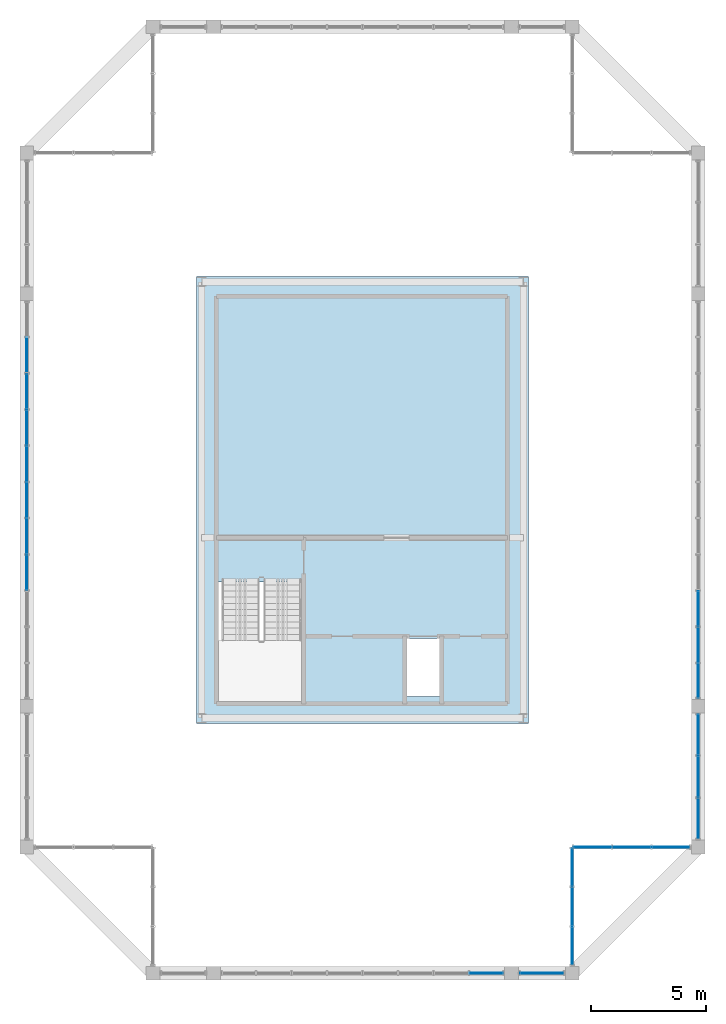
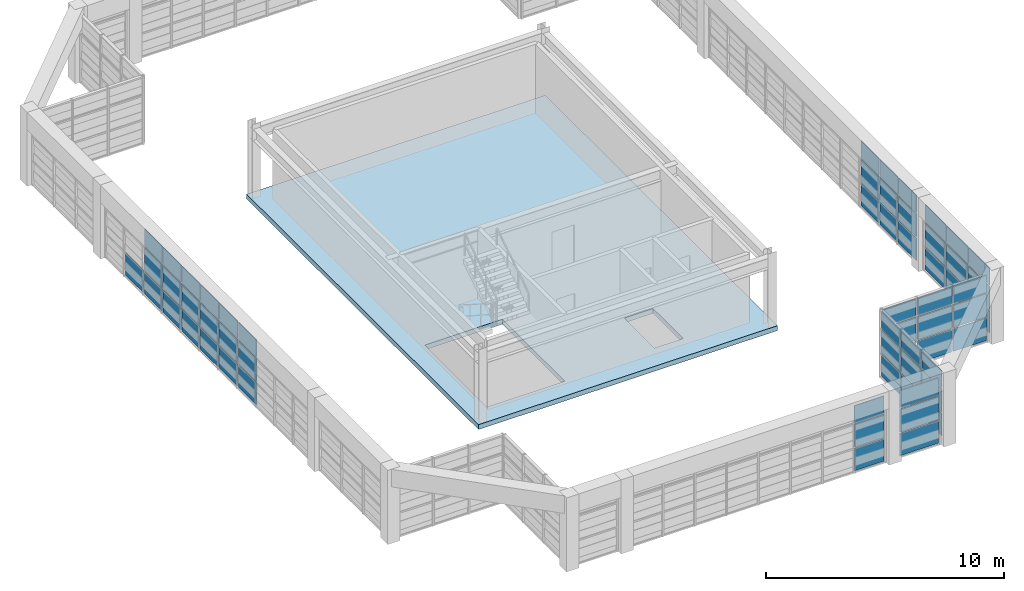
# One storey, part 21 of 27: 61 plates, 1 slab, 7 elements without a shape of their own.
"""IFC4 building model written with IfcOpenShell, lengths in metres."""

from ifc_helpers import new_model, si_unit, direction, frame, origin, origin_2d, place, context, subcontext, project, spatial, polyline, rectangle, outline, extrude, source, transform, mapped, material, layer, layer_set, type_object, element, aggregate, save


model = new_model("IFC4")

# Units and contexts
model_context = context("Model", 3, precision=1e-05, world=origin(), true_north=direction((0.0, 1.0)))
body_context = subcontext(model_context, "Body", "Model", "MODEL_VIEW")
ifc_project = project(units=[si_unit("LENGTHUNIT", "METRE"), si_unit("AREAUNIT", "SQUARE_METRE"), si_unit("VOLUMEUNIT", "CUBIC_METRE"), si_unit("PLANEANGLEUNIT", "RADIAN"), si_unit("MASSUNIT", "GRAM", prefix="KILO")], contexts=[model_context])

# Site, building, storey
site_placement = place(None, origin())
site = spatial("IfcSite", under=ifc_project, at=site_placement, CompositionType="ELEMENT")
building_placement = place(site_placement, origin())
building = spatial("IfcBuilding", under=site, at=building_placement, Name="Saelheon Loggia Tower", CompositionType="ELEMENT")
storey_placement = place(building_placement, frame((0.0, 0.0, 256.0)))
storey = spatial("IfcBuildingStorey", under=building, at=storey_placement, Name="CR2", CompositionType="ELEMENT", Elevation=256.0)

# Slab
ifc_material_1 = material(Name="Concrete C45/55", Category="concrete")
ifc_layer_1 = layer(ifc_material_1, 0.25)
ifc_layer_set_1 = layer_set([ifc_layer_1], Name="Concrete C45/55")
slab_type = type_object("IfcSlabType", Name="Slab_CrownDeck_250", PredefinedType="FLOOR", material=ifc_layer_set_1)
slab_placement = place(storey_placement, frame((0.0, 0.0, -0.25)))
element("IfcSlab", 1, at=slab_placement, inside=storey, type_object=slab_type, Name="CR2 Crown Mechanical Plant Platform", PredefinedType="FLOOR", context=body_context, shape_type="SweptSolid", body=[
    extrude(outline(polyline([(30.75, 17.25), (45.25, 17.25), (45.25, 36.75), (30.75, 36.75), (30.75, 17.25)]), holes=[polyline([(31.699951171875, 23.429931640625), (31.699951171875, 18.199951171875), (35.47998046875, 18.199951171875), (35.47998046875, 23.429931640625), (31.699951171875, 23.429931640625)]), polyline([(39.949951171875, 18.419921875), (41.35009765625, 18.419921875), (41.35009765625, 20.949951171875), (39.949951171875, 20.949951171875), (39.949951171875, 18.419921875)])]), origin(), (0.0, 0.0, 1.0), 0.25),
])

# Curtain wall, plates
ifc_material_2 = material(Name="Bronze-Anodised Aluminium and Fritted Ceramic Screen", Category="aluminium")
ifc_layer_2 = layer(ifc_material_2, 0.219970703125)
ifc_layer_set_2 = layer_set([ifc_layer_2], Name="Bronze-Anodised Aluminium and Fritted Ceramic Screen")
curtain_wall_type = type_object("IfcCurtainWallType", Name="CW_CrownScreen", PredefinedType="NOTDEFINED", material=ifc_layer_set_2)
curtain_wall_1_placement = place(storey_placement, origin())
curtain_wall_1 = element("IfcCurtainWall", 2, at=curtain_wall_1_placement, inside=storey, type_object=curtain_wall_type, Name="CR2 Crown Screen Curtain Wall 0-3", PredefinedType="NOTDEFINED")
ifc_material_3 = material(Name="Bronze Ceramic Fritted Spandrel Panel", Category="aluminium")
ifc_layer_3 = layer(ifc_material_3, 0.0380859375)
ifc_layer_set_3 = layer_set([ifc_layer_3], Name="Bronze Ceramic Fritted Spandrel Panel")
plate_type = type_object("IfcPlateType", Name="CW_CrownScreen_Panel", PredefinedType="CURTAIN_PANEL", material=ifc_layer_set_3)
shared_shape_1 = source(origin(), body_context, "Body", "SweptSolid", [
    extrude(rectangle(XDim=1.889892578125, YDim=0.0380859375, at=origin_2d()), origin(), (0.0, 0.0, 1.0), 1.14501953125),
])
plate_1_placement = place(storey_placement, frame((45.824951171875, 6.35009765625, 0.070068359375), z_axis=(0.0, 0.0, 1.0), x_axis=(1.0, 0.0, 0.0)))
plate_1 = element("IfcPlate", 3, at=plate_1_placement, type_object=plate_type, Name="CW6 panel 1.1", PredefinedType="CURTAIN_PANEL", context=body_context, shape_type="MappedRepresentation", body=[
    mapped(shared_shape_1, transform((0.0, 0.0, 0.0), scale=1.0)),
])
shared_shape_2 = source(origin(), body_context, "Body", "SweptSolid", [
    extrude(rectangle(XDim=1.889892578125, YDim=0.0380859375, at=origin_2d()), origin(), (0.0, 0.0, 1.0), 1.179931640625),
])
plate_2_placement = place(storey_placement, frame((45.824951171875, 6.35009765625, 1.28515625), z_axis=(0.0, 0.0, 1.0), x_axis=(1.0, 0.0, 0.0)))
plate_2 = element("IfcPlate", 4, at=plate_2_placement, type_object=plate_type, Name="CW6 panel 1.2", PredefinedType="CURTAIN_PANEL", context=body_context, shape_type="MappedRepresentation", body=[
    mapped(shared_shape_2, transform((0.0, 0.0, 0.0), scale=1.0)),
])
shared_shape_3 = source(origin(), body_context, "Body", "SweptSolid", [
    extrude(rectangle(XDim=1.889892578125, YDim=0.0380859375, at=origin_2d()), origin(), (0.0, 0.0, 1.0), 0.875),
])
plate_3_placement = place(storey_placement, frame((45.824951171875, 6.35009765625, 2.534912109375), z_axis=(0.0, 0.0, 1.0), x_axis=(1.0, 0.0, 0.0)))
plate_3 = element("IfcPlate", 5, at=plate_3_placement, type_object=plate_type, Name="CW6 panel 1.3", PredefinedType="CURTAIN_PANEL", context=body_context, shape_type="MappedRepresentation", body=[
    mapped(shared_shape_3, transform((0.0, 0.0, 0.0), scale=1.0)),
])
aggregate(curtain_wall_1, [plate_1, plate_2, plate_3])

curtain_wall_2_placement = place(storey_placement, origin())
curtain_wall_2 = element("IfcCurtainWall", 6, at=curtain_wall_2_placement, inside=storey, type_object=curtain_wall_type, Name="CR2 Crown Screen Curtain Wall 0-2", PredefinedType="NOTDEFINED")
shared_shape_4 = source(origin(), body_context, "Body", "SweptSolid", [
    extrude(rectangle(XDim=1.4423828125, YDim=0.0380859375, at=origin_2d()), origin(), (0.0, 0.0, 1.0), 1.14501953125),
])
plate_4_placement = place(storey_placement, frame((43.398681640625, 6.35009765625, 0.070068359375), z_axis=(0.0, 0.0, 1.0), x_axis=(1.0, 0.0, 0.0)))
plate_4 = element("IfcPlate", 7, at=plate_4_placement, type_object=plate_type, Name="CW6 panel 8.1", PredefinedType="CURTAIN_PANEL", context=body_context, shape_type="MappedRepresentation", body=[
    mapped(shared_shape_4, transform((0.0, 0.0, 0.0), scale=1.0)),
])
shared_shape_5 = source(origin(), body_context, "Body", "SweptSolid", [
    extrude(rectangle(XDim=1.4423828125, YDim=0.0380859375, at=origin_2d()), origin(), (0.0, 0.0, 1.0), 1.179931640625),
])
plate_5_placement = place(storey_placement, frame((43.398681640625, 6.35009765625, 1.28515625), z_axis=(0.0, 0.0, 1.0), x_axis=(1.0, 0.0, 0.0)))
plate_5 = element("IfcPlate", 8, at=plate_5_placement, type_object=plate_type, Name="CW6 panel 8.2", PredefinedType="CURTAIN_PANEL", context=body_context, shape_type="MappedRepresentation", body=[
    mapped(shared_shape_5, transform((0.0, 0.0, 0.0), scale=1.0)),
])
shared_shape_6 = source(origin(), body_context, "Body", "SweptSolid", [
    extrude(rectangle(XDim=1.4423828125, YDim=0.0380859375, at=origin_2d()), origin(), (0.0, 0.0, 1.0), 0.875),
])
plate_6_placement = place(storey_placement, frame((43.398681640625, 6.35009765625, 2.534912109375), z_axis=(0.0, 0.0, 1.0), x_axis=(1.0, 0.0, 0.0)))
plate_6 = element("IfcPlate", 9, at=plate_6_placement, type_object=plate_type, Name="CW6 panel 8.3", PredefinedType="CURTAIN_PANEL", context=body_context, shape_type="MappedRepresentation", body=[
    mapped(shared_shape_6, transform((0.0, 0.0, 0.0), scale=1.0)),
])
aggregate(curtain_wall_2, [plate_4, plate_5, plate_6])

curtain_wall_3_placement = place(storey_placement, origin())
curtain_wall_3 = element("IfcCurtainWall", 10, at=curtain_wall_3_placement, inside=storey, type_object=curtain_wall_type, Name="CR2 Crown Screen Curtain Wall 1-1", PredefinedType="NOTDEFINED")
shared_shape_7 = source(origin(), body_context, "Body", "SweptSolid", [
    extrude(rectangle(XDim=1.625, YDim=0.0380859375, at=origin_2d()), origin(), (0.0, 0.0, 1.0), 1.14501953125),
])
plate_7_placement = place(storey_placement, frame((47.14990234375, 7.54248046875, 0.070068359375), z_axis=(0.0, 0.0, 1.0), x_axis=(0.0, 1.0, 0.0)))
plate_7 = element("IfcPlate", 11, at=plate_7_placement, type_object=plate_type, Name="CW6 panel 1.1", PredefinedType="CURTAIN_PANEL", context=body_context, shape_type="MappedRepresentation", body=[
    mapped(shared_shape_7, transform((0.0, 0.0, 0.0), scale=1.0)),
])
plate_8_placement = place(storey_placement, frame((47.14990234375, 10.967529296875, 0.070068359375), z_axis=(0.0, 0.0, 1.0), x_axis=(0.0, 1.0, 0.0)))
plate_8 = element("IfcPlate", 12, at=plate_8_placement, type_object=plate_type, Name="CW6 panel 3.1", PredefinedType="CURTAIN_PANEL", context=body_context, shape_type="MappedRepresentation", body=[
    mapped(shared_shape_7, transform((0.0, 0.0, 0.0), scale=1.0)),
])

curtain_wall_4_placement = place(storey_placement, origin())
curtain_wall_4 = element("IfcCurtainWall", 13, at=curtain_wall_4_placement, inside=storey, type_object=curtain_wall_type, Name="CR2 Crown Screen Curtain Wall 2-1", PredefinedType="NOTDEFINED")
plate_9_placement = place(storey_placement, frame((48.032470703125, 11.85009765625, 0.070068359375), z_axis=(0.0, 0.0, 1.0), x_axis=(1.0, 0.0, 0.0)))
plate_9 = element("IfcPlate", 14, at=plate_9_placement, type_object=plate_type, Name="CW6 panel 1.1", PredefinedType="CURTAIN_PANEL", context=body_context, shape_type="MappedRepresentation", body=[
    mapped(shared_shape_7, transform((0.0, 0.0, 0.0), scale=1.0)),
])
plate_10_placement = place(storey_placement, frame((51.45751953125, 11.85009765625, 0.070068359375), z_axis=(0.0, 0.0, 1.0), x_axis=(1.0, 0.0, 0.0)))
plate_10 = element("IfcPlate", 15, at=plate_10_placement, type_object=plate_type, Name="CW6 panel 3.1", PredefinedType="CURTAIN_PANEL", context=body_context, shape_type="MappedRepresentation", body=[
    mapped(shared_shape_7, transform((0.0, 0.0, 0.0), scale=1.0)),
])

# Plate
shared_shape_8 = source(origin(), body_context, "Body", "SweptSolid", [
    extrude(rectangle(XDim=1.625, YDim=0.0380859375, at=origin_2d()), origin(), (0.0, 0.0, 1.0), 1.179931640625),
])
plate_11_placement = place(storey_placement, frame((47.14990234375, 7.54248046875, 1.28515625), z_axis=(0.0, 0.0, 1.0), x_axis=(0.0, 1.0, 0.0)))
plate_11 = element("IfcPlate", 16, at=plate_11_placement, type_object=plate_type, Name="CW6 panel 1.2", PredefinedType="CURTAIN_PANEL", context=body_context, shape_type="MappedRepresentation", body=[
    mapped(shared_shape_8, transform((0.0, 0.0, 0.0), scale=1.0)),
])

plate_12_placement = place(storey_placement, frame((47.14990234375, 10.967529296875, 1.28515625), z_axis=(0.0, 0.0, 1.0), x_axis=(0.0, 1.0, 0.0)))
plate_12 = element("IfcPlate", 17, at=plate_12_placement, type_object=plate_type, Name="CW6 panel 3.2", PredefinedType="CURTAIN_PANEL", context=body_context, shape_type="MappedRepresentation", body=[
    mapped(shared_shape_8, transform((0.0, 0.0, 0.0), scale=1.0)),
])

plate_13_placement = place(storey_placement, frame((48.032470703125, 11.85009765625, 1.28515625), z_axis=(0.0, 0.0, 1.0), x_axis=(1.0, 0.0, 0.0)))
plate_13 = element("IfcPlate", 18, at=plate_13_placement, type_object=plate_type, Name="CW6 panel 1.2", PredefinedType="CURTAIN_PANEL", context=body_context, shape_type="MappedRepresentation", body=[
    mapped(shared_shape_8, transform((0.0, 0.0, 0.0), scale=1.0)),
])

plate_14_placement = place(storey_placement, frame((51.45751953125, 11.85009765625, 1.28515625), z_axis=(0.0, 0.0, 1.0), x_axis=(1.0, 0.0, 0.0)))
plate_14 = element("IfcPlate", 19, at=plate_14_placement, type_object=plate_type, Name="CW6 panel 3.2", PredefinedType="CURTAIN_PANEL", context=body_context, shape_type="MappedRepresentation", body=[
    mapped(shared_shape_8, transform((0.0, 0.0, 0.0), scale=1.0)),
])

shared_shape_9 = source(origin(), body_context, "Body", "SweptSolid", [
    extrude(rectangle(XDim=1.625, YDim=0.0380859375, at=origin_2d()), origin(), (0.0, 0.0, 1.0), 0.875),
])
plate_15_placement = place(storey_placement, frame((47.14990234375, 7.54248046875, 2.534912109375), z_axis=(0.0, 0.0, 1.0), x_axis=(0.0, 1.0, 0.0)))
plate_15 = element("IfcPlate", 20, at=plate_15_placement, type_object=plate_type, Name="CW6 panel 1.3", PredefinedType="CURTAIN_PANEL", context=body_context, shape_type="MappedRepresentation", body=[
    mapped(shared_shape_9, transform((0.0, 0.0, 0.0), scale=1.0)),
])

plate_16_placement = place(storey_placement, frame((47.14990234375, 10.967529296875, 2.534912109375), z_axis=(0.0, 0.0, 1.0), x_axis=(0.0, 1.0, 0.0)))
plate_16 = element("IfcPlate", 21, at=plate_16_placement, type_object=plate_type, Name="CW6 panel 3.3", PredefinedType="CURTAIN_PANEL", context=body_context, shape_type="MappedRepresentation", body=[
    mapped(shared_shape_9, transform((0.0, 0.0, 0.0), scale=1.0)),
])

plate_17_placement = place(storey_placement, frame((48.032470703125, 11.85009765625, 2.534912109375), z_axis=(0.0, 0.0, 1.0), x_axis=(1.0, 0.0, 0.0)))
plate_17 = element("IfcPlate", 22, at=plate_17_placement, type_object=plate_type, Name="CW6 panel 1.3", PredefinedType="CURTAIN_PANEL", context=body_context, shape_type="MappedRepresentation", body=[
    mapped(shared_shape_9, transform((0.0, 0.0, 0.0), scale=1.0)),
])

plate_18_placement = place(storey_placement, frame((51.45751953125, 11.85009765625, 2.534912109375), z_axis=(0.0, 0.0, 1.0), x_axis=(1.0, 0.0, 0.0)))
plate_18 = element("IfcPlate", 23, at=plate_18_placement, type_object=plate_type, Name="CW6 panel 3.3", PredefinedType="CURTAIN_PANEL", context=body_context, shape_type="MappedRepresentation", body=[
    mapped(shared_shape_9, transform((0.0, 0.0, 0.0), scale=1.0)),
])

shared_shape_10 = source(origin(), body_context, "Body", "SweptSolid", [
    extrude(rectangle(XDim=1.659912109375, YDim=0.0380859375, at=origin_2d()), origin(), (0.0, 0.0, 1.0), 1.14501953125),
])
plate_19_placement = place(storey_placement, frame((47.14990234375, 9.2548828125, 0.070068359375), z_axis=(0.0, 0.0, 1.0), x_axis=(0.0, 1.0, 0.0)))
plate_19 = element("IfcPlate", 24, at=plate_19_placement, type_object=plate_type, Name="CW6 panel 2.1", PredefinedType="CURTAIN_PANEL", context=body_context, shape_type="MappedRepresentation", body=[
    mapped(shared_shape_10, transform((0.0, 0.0, 0.0), scale=1.0)),
])

plate_20_placement = place(storey_placement, frame((49.7451171875, 11.85009765625, 0.070068359375), z_axis=(0.0, 0.0, 1.0), x_axis=(1.0, 0.0, 0.0)))
plate_20 = element("IfcPlate", 25, at=plate_20_placement, type_object=plate_type, Name="CW6 panel 2.1", PredefinedType="CURTAIN_PANEL", context=body_context, shape_type="MappedRepresentation", body=[
    mapped(shared_shape_10, transform((0.0, 0.0, 0.0), scale=1.0)),
])

shared_shape_11 = source(origin(), body_context, "Body", "SweptSolid", [
    extrude(rectangle(XDim=1.659912109375, YDim=0.0380859375, at=origin_2d()), origin(), (0.0, 0.0, 1.0), 1.179931640625),
])
plate_21_placement = place(storey_placement, frame((47.14990234375, 9.2548828125, 1.28515625), z_axis=(0.0, 0.0, 1.0), x_axis=(0.0, 1.0, 0.0)))
plate_21 = element("IfcPlate", 26, at=plate_21_placement, type_object=plate_type, Name="CW6 panel 2.2", PredefinedType="CURTAIN_PANEL", context=body_context, shape_type="MappedRepresentation", body=[
    mapped(shared_shape_11, transform((0.0, 0.0, 0.0), scale=1.0)),
])

plate_22_placement = place(storey_placement, frame((49.7451171875, 11.85009765625, 1.28515625), z_axis=(0.0, 0.0, 1.0), x_axis=(1.0, 0.0, 0.0)))
plate_22 = element("IfcPlate", 27, at=plate_22_placement, type_object=plate_type, Name="CW6 panel 2.2", PredefinedType="CURTAIN_PANEL", context=body_context, shape_type="MappedRepresentation", body=[
    mapped(shared_shape_11, transform((0.0, 0.0, 0.0), scale=1.0)),
])

shared_shape_12 = source(origin(), body_context, "Body", "SweptSolid", [
    extrude(rectangle(XDim=1.659912109375, YDim=0.0380859375, at=origin_2d()), origin(), (0.0, 0.0, 1.0), 0.875),
])
plate_23_placement = place(storey_placement, frame((47.14990234375, 9.2548828125, 2.534912109375), z_axis=(0.0, 0.0, 1.0), x_axis=(0.0, 1.0, 0.0)))
plate_23 = element("IfcPlate", 28, at=plate_23_placement, type_object=plate_type, Name="CW6 panel 2.3", PredefinedType="CURTAIN_PANEL", context=body_context, shape_type="MappedRepresentation", body=[
    mapped(shared_shape_12, transform((0.0, 0.0, 0.0), scale=1.0)),
])

aggregate(curtain_wall_3, [plate_7, plate_11, plate_15, plate_19, plate_21, plate_23, plate_8, plate_12, plate_16])

plate_24_placement = place(storey_placement, frame((49.7451171875, 11.85009765625, 2.534912109375), z_axis=(0.0, 0.0, 1.0), x_axis=(1.0, 0.0, 0.0)))
plate_24 = element("IfcPlate", 29, at=plate_24_placement, type_object=plate_type, Name="CW6 panel 2.3", PredefinedType="CURTAIN_PANEL", context=body_context, shape_type="MappedRepresentation", body=[
    mapped(shared_shape_12, transform((0.0, 0.0, 0.0), scale=1.0)),
])

aggregate(curtain_wall_4, [plate_9, plate_13, plate_17, plate_20, plate_22, plate_24, plate_10, plate_14, plate_18])

# Curtain wall, plates
curtain_wall_5_placement = place(storey_placement, origin())
curtain_wall_5 = element("IfcCurtainWall", 30, at=curtain_wall_5_placement, inside=storey, type_object=curtain_wall_type, Name="CR2 Crown Screen Curtain Wall 3-1", PredefinedType="NOTDEFINED")
shared_shape_13 = source(origin(), body_context, "Body", "SweptSolid", [
    extrude(rectangle(XDim=1.73828125, YDim=0.0380859375, at=origin_2d()), origin(), (0.0, 0.0, 1.0), 1.14501953125),
])
plate_25_placement = place(storey_placement, frame((52.64990234375, 13.09912109375, 0.070068359375), z_axis=(0.0, 0.0, 1.0), x_axis=(0.0, 1.0, 0.0)))
plate_25 = element("IfcPlate", 31, at=plate_25_placement, type_object=plate_type, Name="CW6 panel 1.1", PredefinedType="CURTAIN_PANEL", context=body_context, shape_type="MappedRepresentation", body=[
    mapped(shared_shape_13, transform((0.0, 0.0, 0.0), scale=1.0)),
])
plate_26_placement = place(storey_placement, frame((52.64990234375, 16.750732421875, 0.070068359375), z_axis=(0.0, 0.0, 1.0), x_axis=(0.0, 1.0, 0.0)))
plate_26 = element("IfcPlate", 32, at=plate_26_placement, type_object=plate_type, Name="CW6 panel 3.1", PredefinedType="CURTAIN_PANEL", context=body_context, shape_type="MappedRepresentation", body=[
    mapped(shared_shape_13, transform((0.0, 0.0, 0.0), scale=1.0)),
])
shared_shape_14 = source(origin(), body_context, "Body", "SweptSolid", [
    extrude(rectangle(XDim=1.73828125, YDim=0.0380859375, at=origin_2d()), origin(), (0.0, 0.0, 1.0), 1.179931640625),
])
plate_27_placement = place(storey_placement, frame((52.64990234375, 13.09912109375, 1.28515625), z_axis=(0.0, 0.0, 1.0), x_axis=(0.0, 1.0, 0.0)))
plate_27 = element("IfcPlate", 33, at=plate_27_placement, type_object=plate_type, Name="CW6 panel 1.2", PredefinedType="CURTAIN_PANEL", context=body_context, shape_type="MappedRepresentation", body=[
    mapped(shared_shape_14, transform((0.0, 0.0, 0.0), scale=1.0)),
])
plate_28_placement = place(storey_placement, frame((52.64990234375, 16.750732421875, 1.28515625), z_axis=(0.0, 0.0, 1.0), x_axis=(0.0, 1.0, 0.0)))
plate_28 = element("IfcPlate", 34, at=plate_28_placement, type_object=plate_type, Name="CW6 panel 3.2", PredefinedType="CURTAIN_PANEL", context=body_context, shape_type="MappedRepresentation", body=[
    mapped(shared_shape_14, transform((0.0, 0.0, 0.0), scale=1.0)),
])
shared_shape_15 = source(origin(), body_context, "Body", "SweptSolid", [
    extrude(rectangle(XDim=1.73828125, YDim=0.0380859375, at=origin_2d()), origin(), (0.0, 0.0, 1.0), 0.875),
])
plate_29_placement = place(storey_placement, frame((52.64990234375, 13.09912109375, 2.534912109375), z_axis=(0.0, 0.0, 1.0), x_axis=(0.0, 1.0, 0.0)))
plate_29 = element("IfcPlate", 35, at=plate_29_placement, type_object=plate_type, Name="CW6 panel 1.3", PredefinedType="CURTAIN_PANEL", context=body_context, shape_type="MappedRepresentation", body=[
    mapped(shared_shape_15, transform((0.0, 0.0, 0.0), scale=1.0)),
])
plate_30_placement = place(storey_placement, frame((52.64990234375, 16.750732421875, 2.534912109375), z_axis=(0.0, 0.0, 1.0), x_axis=(0.0, 1.0, 0.0)))
plate_30 = element("IfcPlate", 36, at=plate_30_placement, type_object=plate_type, Name="CW6 panel 3.3", PredefinedType="CURTAIN_PANEL", context=body_context, shape_type="MappedRepresentation", body=[
    mapped(shared_shape_15, transform((0.0, 0.0, 0.0), scale=1.0)),
])
shared_shape_16 = source(origin(), body_context, "Body", "SweptSolid", [
    extrude(rectangle(XDim=1.7734375, YDim=0.0380859375, at=origin_2d()), origin(), (0.0, 0.0, 1.0), 1.14501953125),
])
plate_31_placement = place(storey_placement, frame((52.64990234375, 14.925048828125, 0.070068359375), z_axis=(0.0, 0.0, 1.0), x_axis=(0.0, 1.0, 0.0)))
plate_31 = element("IfcPlate", 37, at=plate_31_placement, type_object=plate_type, Name="CW6 panel 2.1", PredefinedType="CURTAIN_PANEL", context=body_context, shape_type="MappedRepresentation", body=[
    mapped(shared_shape_16, transform((0.0, 0.0, 0.0), scale=1.0)),
])
shared_shape_17 = source(origin(), body_context, "Body", "SweptSolid", [
    extrude(rectangle(XDim=1.7734375, YDim=0.0380859375, at=origin_2d()), origin(), (0.0, 0.0, 1.0), 1.179931640625),
])
plate_32_placement = place(storey_placement, frame((52.64990234375, 14.925048828125, 1.28515625), z_axis=(0.0, 0.0, 1.0), x_axis=(0.0, 1.0, 0.0)))
plate_32 = element("IfcPlate", 38, at=plate_32_placement, type_object=plate_type, Name="CW6 panel 2.2", PredefinedType="CURTAIN_PANEL", context=body_context, shape_type="MappedRepresentation", body=[
    mapped(shared_shape_17, transform((0.0, 0.0, 0.0), scale=1.0)),
])
shared_shape_18 = source(origin(), body_context, "Body", "SweptSolid", [
    extrude(rectangle(XDim=1.7734375, YDim=0.0380859375, at=origin_2d()), origin(), (0.0, 0.0, 1.0), 0.875),
])
plate_33_placement = place(storey_placement, frame((52.64990234375, 14.925048828125, 2.534912109375), z_axis=(0.0, 0.0, 1.0), x_axis=(0.0, 1.0, 0.0)))
plate_33 = element("IfcPlate", 39, at=plate_33_placement, type_object=plate_type, Name="CW6 panel 2.3", PredefinedType="CURTAIN_PANEL", context=body_context, shape_type="MappedRepresentation", body=[
    mapped(shared_shape_18, transform((0.0, 0.0, 0.0), scale=1.0)),
])
aggregate(curtain_wall_5, [plate_25, plate_27, plate_29, plate_31, plate_32, plate_33, plate_26, plate_28, plate_30])

curtain_wall_6_placement = place(storey_placement, origin())
curtain_wall_6 = element("IfcCurtainWall", 40, at=curtain_wall_6_placement, inside=storey, type_object=curtain_wall_type, Name="CR2 Crown Screen Curtain Wall 3-2", PredefinedType="NOTDEFINED")
shared_shape_19 = source(origin(), body_context, "Body", "SweptSolid", [
    extrude(rectangle(XDim=1.47509765625, YDim=0.0380859375, at=origin_2d()), origin(), (0.0, 0.0, 1.0), 1.14501953125),
])
plate_34_placement = place(storey_placement, frame((52.64990234375, 19.117431640625, 0.070068359375), z_axis=(0.0, 0.0, 1.0), x_axis=(0.0, 1.0, 0.0)))
plate_34 = element("IfcPlate", 41, at=plate_34_placement, type_object=plate_type, Name="CW6 panel 1.1", PredefinedType="CURTAIN_PANEL", context=body_context, shape_type="MappedRepresentation", body=[
    mapped(shared_shape_19, transform((0.0, 0.0, 0.0), scale=1.0)),
])
shared_shape_20 = source(origin(), body_context, "Body", "SweptSolid", [
    extrude(rectangle(XDim=1.47509765625, YDim=0.0380859375, at=origin_2d()), origin(), (0.0, 0.0, 1.0), 1.179931640625),
])
plate_35_placement = place(storey_placement, frame((52.64990234375, 19.117431640625, 1.28515625), z_axis=(0.0, 0.0, 1.0), x_axis=(0.0, 1.0, 0.0)))
plate_35 = element("IfcPlate", 42, at=plate_35_placement, type_object=plate_type, Name="CW6 panel 1.2", PredefinedType="CURTAIN_PANEL", context=body_context, shape_type="MappedRepresentation", body=[
    mapped(shared_shape_20, transform((0.0, 0.0, 0.0), scale=1.0)),
])
shared_shape_21 = source(origin(), body_context, "Body", "SweptSolid", [
    extrude(rectangle(XDim=1.47509765625, YDim=0.0380859375, at=origin_2d()), origin(), (0.0, 0.0, 1.0), 0.875),
])
plate_36_placement = place(storey_placement, frame((52.64990234375, 19.117431640625, 2.534912109375), z_axis=(0.0, 0.0, 1.0), x_axis=(0.0, 1.0, 0.0)))
plate_36 = element("IfcPlate", 43, at=plate_36_placement, type_object=plate_type, Name="CW6 panel 1.3", PredefinedType="CURTAIN_PANEL", context=body_context, shape_type="MappedRepresentation", body=[
    mapped(shared_shape_21, transform((0.0, 0.0, 0.0), scale=1.0)),
])
shared_shape_22 = source(origin(), body_context, "Body", "SweptSolid", [
    extrude(rectangle(XDim=1.510009765625, YDim=0.0380859375, at=origin_2d()), origin(), (0.0, 0.0, 1.0), 1.14501953125),
])
plate_37_placement = place(storey_placement, frame((52.64990234375, 20.679931640625, 0.070068359375), z_axis=(0.0, 0.0, 1.0), x_axis=(0.0, 1.0, 0.0)))
plate_37 = element("IfcPlate", 44, at=plate_37_placement, type_object=plate_type, Name="CW6 panel 2.1", PredefinedType="CURTAIN_PANEL", context=body_context, shape_type="MappedRepresentation", body=[
    mapped(shared_shape_22, transform((0.0, 0.0, 0.0), scale=1.0)),
])
plate_38_placement = place(storey_placement, frame((52.64990234375, 22.260009765625, 0.070068359375), z_axis=(0.0, 0.0, 1.0), x_axis=(0.0, 1.0, 0.0)))
plate_38 = element("IfcPlate", 45, at=plate_38_placement, type_object=plate_type, Name="CW6 panel 3.1", PredefinedType="CURTAIN_PANEL", context=body_context, shape_type="MappedRepresentation", body=[
    mapped(shared_shape_22, transform((0.0, 0.0, 0.0), scale=1.0)),
])

curtain_wall_7_placement = place(storey_placement, origin())
curtain_wall_7 = element("IfcCurtainWall", 46, at=curtain_wall_7_placement, inside=storey, type_object=curtain_wall_type, Name="CR2 Crown Screen Curtain Wall 9-2", PredefinedType="NOTDEFINED")
plate_39_placement = place(storey_placement, frame((23.35009765625, 33.320068359375, 0.070068359375), z_axis=(0.0, 0.0, 1.0), x_axis=(0.0, -1.0, 0.0)))
plate_39 = element("IfcPlate", 47, at=plate_39_placement, type_object=plate_type, Name="CW6 panel 2.1", PredefinedType="CURTAIN_PANEL", context=body_context, shape_type="MappedRepresentation", body=[
    mapped(shared_shape_22, transform((0.0, 0.0, 0.0), scale=1.0)),
])
plate_40_placement = place(storey_placement, frame((23.35009765625, 31.739990234375, 0.070068359375), z_axis=(0.0, 0.0, 1.0), x_axis=(0.0, -1.0, 0.0)))
plate_40 = element("IfcPlate", 48, at=plate_40_placement, type_object=plate_type, Name="CW6 panel 3.1", PredefinedType="CURTAIN_PANEL", context=body_context, shape_type="MappedRepresentation", body=[
    mapped(shared_shape_22, transform((0.0, 0.0, 0.0), scale=1.0)),
])
plate_41_placement = place(storey_placement, frame((23.35009765625, 30.159912109375, 0.070068359375), z_axis=(0.0, 0.0, 1.0), x_axis=(0.0, -1.0, 0.0)))
plate_41 = element("IfcPlate", 49, at=plate_41_placement, type_object=plate_type, Name="CW6 panel 4.1", PredefinedType="CURTAIN_PANEL", context=body_context, shape_type="MappedRepresentation", body=[
    mapped(shared_shape_22, transform((0.0, 0.0, 0.0), scale=1.0)),
])
plate_42_placement = place(storey_placement, frame((23.35009765625, 28.580078125, 0.070068359375), z_axis=(0.0, 0.0, 1.0), x_axis=(0.0, -1.0, 0.0)))
plate_42 = element("IfcPlate", 50, at=plate_42_placement, type_object=plate_type, Name="CW6 panel 5.1", PredefinedType="CURTAIN_PANEL", context=body_context, shape_type="MappedRepresentation", body=[
    mapped(shared_shape_22, transform((0.0, 0.0, 0.0), scale=1.0)),
])
plate_43_placement = place(storey_placement, frame((23.35009765625, 27.0, 0.070068359375), z_axis=(0.0, 0.0, 1.0), x_axis=(0.0, -1.0, 0.0)))
plate_43 = element("IfcPlate", 51, at=plate_43_placement, type_object=plate_type, Name="CW6 panel 6.1", PredefinedType="CURTAIN_PANEL", context=body_context, shape_type="MappedRepresentation", body=[
    mapped(shared_shape_22, transform((0.0, 0.0, 0.0), scale=1.0)),
])
plate_44_placement = place(storey_placement, frame((23.35009765625, 25.419921875, 0.070068359375), z_axis=(0.0, 0.0, 1.0), x_axis=(0.0, -1.0, 0.0)))
plate_44 = element("IfcPlate", 52, at=plate_44_placement, type_object=plate_type, Name="CW6 panel 7.1", PredefinedType="CURTAIN_PANEL", context=body_context, shape_type="MappedRepresentation", body=[
    mapped(shared_shape_22, transform((0.0, 0.0, 0.0), scale=1.0)),
])
plate_45_placement = place(storey_placement, frame((23.35009765625, 23.840087890625, 0.070068359375), z_axis=(0.0, 0.0, 1.0), x_axis=(0.0, -1.0, 0.0)))
plate_45 = element("IfcPlate", 53, at=plate_45_placement, type_object=plate_type, Name="CW6 panel 8.1", PredefinedType="CURTAIN_PANEL", context=body_context, shape_type="MappedRepresentation", body=[
    mapped(shared_shape_22, transform((0.0, 0.0, 0.0), scale=1.0)),
])

# Plate
shared_shape_23 = source(origin(), body_context, "Body", "SweptSolid", [
    extrude(rectangle(XDim=1.510009765625, YDim=0.0380859375, at=origin_2d()), origin(), (0.0, 0.0, 1.0), 1.179931640625),
])
plate_46_placement = place(storey_placement, frame((52.64990234375, 20.679931640625, 1.28515625), z_axis=(0.0, 0.0, 1.0), x_axis=(0.0, 1.0, 0.0)))
plate_46 = element("IfcPlate", 54, at=plate_46_placement, type_object=plate_type, Name="CW6 panel 2.2", PredefinedType="CURTAIN_PANEL", context=body_context, shape_type="MappedRepresentation", body=[
    mapped(shared_shape_23, transform((0.0, 0.0, 0.0), scale=1.0)),
])

plate_47_placement = place(storey_placement, frame((52.64990234375, 22.260009765625, 1.28515625), z_axis=(0.0, 0.0, 1.0), x_axis=(0.0, 1.0, 0.0)))
plate_47 = element("IfcPlate", 55, at=plate_47_placement, type_object=plate_type, Name="CW6 panel 3.2", PredefinedType="CURTAIN_PANEL", context=body_context, shape_type="MappedRepresentation", body=[
    mapped(shared_shape_23, transform((0.0, 0.0, 0.0), scale=1.0)),
])

plate_48_placement = place(storey_placement, frame((23.35009765625, 31.739990234375, 1.28515625), z_axis=(0.0, 0.0, 1.0), x_axis=(0.0, -1.0, 0.0)))
plate_48 = element("IfcPlate", 56, at=plate_48_placement, type_object=plate_type, Name="CW6 panel 3.2", PredefinedType="CURTAIN_PANEL", context=body_context, shape_type="MappedRepresentation", body=[
    mapped(shared_shape_23, transform((0.0, 0.0, 0.0), scale=1.0)),
])

plate_49_placement = place(storey_placement, frame((23.35009765625, 30.159912109375, 1.28515625), z_axis=(0.0, 0.0, 1.0), x_axis=(0.0, -1.0, 0.0)))
plate_49 = element("IfcPlate", 57, at=plate_49_placement, type_object=plate_type, Name="CW6 panel 4.2", PredefinedType="CURTAIN_PANEL", context=body_context, shape_type="MappedRepresentation", body=[
    mapped(shared_shape_23, transform((0.0, 0.0, 0.0), scale=1.0)),
])

plate_50_placement = place(storey_placement, frame((23.35009765625, 28.580078125, 1.28515625), z_axis=(0.0, 0.0, 1.0), x_axis=(0.0, -1.0, 0.0)))
plate_50 = element("IfcPlate", 58, at=plate_50_placement, type_object=plate_type, Name="CW6 panel 5.2", PredefinedType="CURTAIN_PANEL", context=body_context, shape_type="MappedRepresentation", body=[
    mapped(shared_shape_23, transform((0.0, 0.0, 0.0), scale=1.0)),
])

plate_51_placement = place(storey_placement, frame((23.35009765625, 27.0, 1.28515625), z_axis=(0.0, 0.0, 1.0), x_axis=(0.0, -1.0, 0.0)))
plate_51 = element("IfcPlate", 59, at=plate_51_placement, type_object=plate_type, Name="CW6 panel 6.2", PredefinedType="CURTAIN_PANEL", context=body_context, shape_type="MappedRepresentation", body=[
    mapped(shared_shape_23, transform((0.0, 0.0, 0.0), scale=1.0)),
])

plate_52_placement = place(storey_placement, frame((23.35009765625, 25.419921875, 1.28515625), z_axis=(0.0, 0.0, 1.0), x_axis=(0.0, -1.0, 0.0)))
plate_52 = element("IfcPlate", 60, at=plate_52_placement, type_object=plate_type, Name="CW6 panel 7.2", PredefinedType="CURTAIN_PANEL", context=body_context, shape_type="MappedRepresentation", body=[
    mapped(shared_shape_23, transform((0.0, 0.0, 0.0), scale=1.0)),
])

plate_53_placement = place(storey_placement, frame((23.35009765625, 23.840087890625, 1.28515625), z_axis=(0.0, 0.0, 1.0), x_axis=(0.0, -1.0, 0.0)))
plate_53 = element("IfcPlate", 61, at=plate_53_placement, type_object=plate_type, Name="CW6 panel 8.2", PredefinedType="CURTAIN_PANEL", context=body_context, shape_type="MappedRepresentation", body=[
    mapped(shared_shape_23, transform((0.0, 0.0, 0.0), scale=1.0)),
])

shared_shape_24 = source(origin(), body_context, "Body", "SweptSolid", [
    extrude(rectangle(XDim=1.510009765625, YDim=0.0380859375, at=origin_2d()), origin(), (0.0, 0.0, 1.0), 0.875),
])
plate_54_placement = place(storey_placement, frame((52.64990234375, 20.679931640625, 2.534912109375), z_axis=(0.0, 0.0, 1.0), x_axis=(0.0, 1.0, 0.0)))
plate_54 = element("IfcPlate", 62, at=plate_54_placement, type_object=plate_type, Name="CW6 panel 2.3", PredefinedType="CURTAIN_PANEL", context=body_context, shape_type="MappedRepresentation", body=[
    mapped(shared_shape_24, transform((0.0, 0.0, 0.0), scale=1.0)),
])

plate_55_placement = place(storey_placement, frame((52.64990234375, 22.260009765625, 2.534912109375), z_axis=(0.0, 0.0, 1.0), x_axis=(0.0, 1.0, 0.0)))
plate_55 = element("IfcPlate", 63, at=plate_55_placement, type_object=plate_type, Name="CW6 panel 3.3", PredefinedType="CURTAIN_PANEL", context=body_context, shape_type="MappedRepresentation", body=[
    mapped(shared_shape_24, transform((0.0, 0.0, 0.0), scale=1.0)),
])

aggregate(curtain_wall_6, [plate_34, plate_35, plate_36, plate_37, plate_46, plate_54, plate_38, plate_47, plate_55])

plate_56_placement = place(storey_placement, frame((23.35009765625, 31.739990234375, 2.534912109375), z_axis=(0.0, 0.0, 1.0), x_axis=(0.0, -1.0, 0.0)))
plate_56 = element("IfcPlate", 64, at=plate_56_placement, type_object=plate_type, Name="CW6 panel 3.3", PredefinedType="CURTAIN_PANEL", context=body_context, shape_type="MappedRepresentation", body=[
    mapped(shared_shape_24, transform((0.0, 0.0, 0.0), scale=1.0)),
])

plate_57_placement = place(storey_placement, frame((23.35009765625, 30.159912109375, 2.534912109375), z_axis=(0.0, 0.0, 1.0), x_axis=(0.0, -1.0, 0.0)))
plate_57 = element("IfcPlate", 65, at=plate_57_placement, type_object=plate_type, Name="CW6 panel 4.3", PredefinedType="CURTAIN_PANEL", context=body_context, shape_type="MappedRepresentation", body=[
    mapped(shared_shape_24, transform((0.0, 0.0, 0.0), scale=1.0)),
])

plate_58_placement = place(storey_placement, frame((23.35009765625, 28.580078125, 2.534912109375), z_axis=(0.0, 0.0, 1.0), x_axis=(0.0, -1.0, 0.0)))
plate_58 = element("IfcPlate", 66, at=plate_58_placement, type_object=plate_type, Name="CW6 panel 5.3", PredefinedType="CURTAIN_PANEL", context=body_context, shape_type="MappedRepresentation", body=[
    mapped(shared_shape_24, transform((0.0, 0.0, 0.0), scale=1.0)),
])

plate_59_placement = place(storey_placement, frame((23.35009765625, 27.0, 2.534912109375), z_axis=(0.0, 0.0, 1.0), x_axis=(0.0, -1.0, 0.0)))
plate_59 = element("IfcPlate", 67, at=plate_59_placement, type_object=plate_type, Name="CW6 panel 6.3", PredefinedType="CURTAIN_PANEL", context=body_context, shape_type="MappedRepresentation", body=[
    mapped(shared_shape_24, transform((0.0, 0.0, 0.0), scale=1.0)),
])

plate_60_placement = place(storey_placement, frame((23.35009765625, 25.419921875, 2.534912109375), z_axis=(0.0, 0.0, 1.0), x_axis=(0.0, -1.0, 0.0)))
plate_60 = element("IfcPlate", 68, at=plate_60_placement, type_object=plate_type, Name="CW6 panel 7.3", PredefinedType="CURTAIN_PANEL", context=body_context, shape_type="MappedRepresentation", body=[
    mapped(shared_shape_24, transform((0.0, 0.0, 0.0), scale=1.0)),
])

plate_61_placement = place(storey_placement, frame((23.35009765625, 23.840087890625, 2.534912109375), z_axis=(0.0, 0.0, 1.0), x_axis=(0.0, -1.0, 0.0)))
plate_61 = element("IfcPlate", 69, at=plate_61_placement, type_object=plate_type, Name="CW6 panel 8.3", PredefinedType="CURTAIN_PANEL", context=body_context, shape_type="MappedRepresentation", body=[
    mapped(shared_shape_24, transform((0.0, 0.0, 0.0), scale=1.0)),
])

aggregate(curtain_wall_7, [plate_39, plate_40, plate_48, plate_56, plate_41, plate_49, plate_57, plate_42, plate_50, plate_58, plate_43, plate_51, plate_59, plate_44, plate_52, plate_60, plate_45, plate_53, plate_61])

save(model, "model.ifc")
